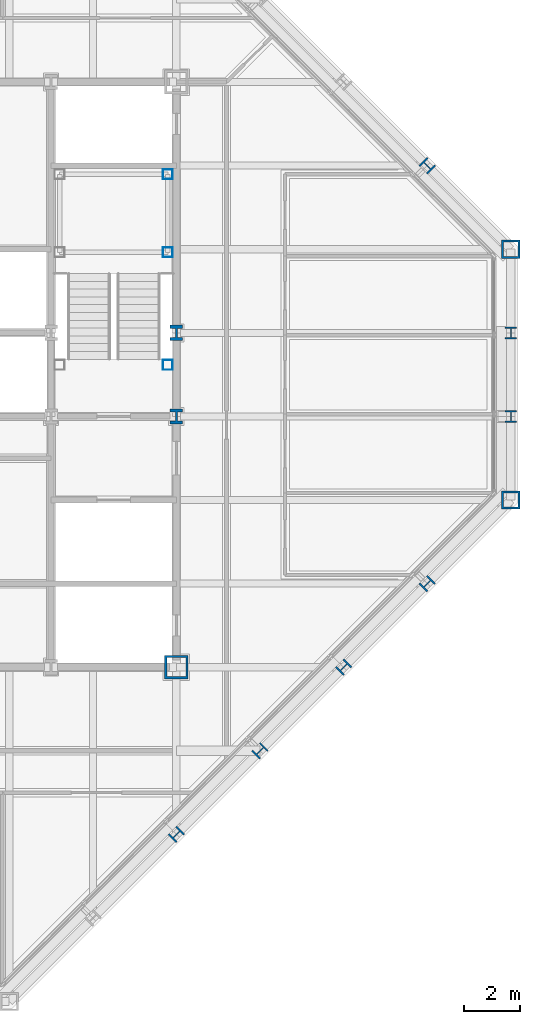
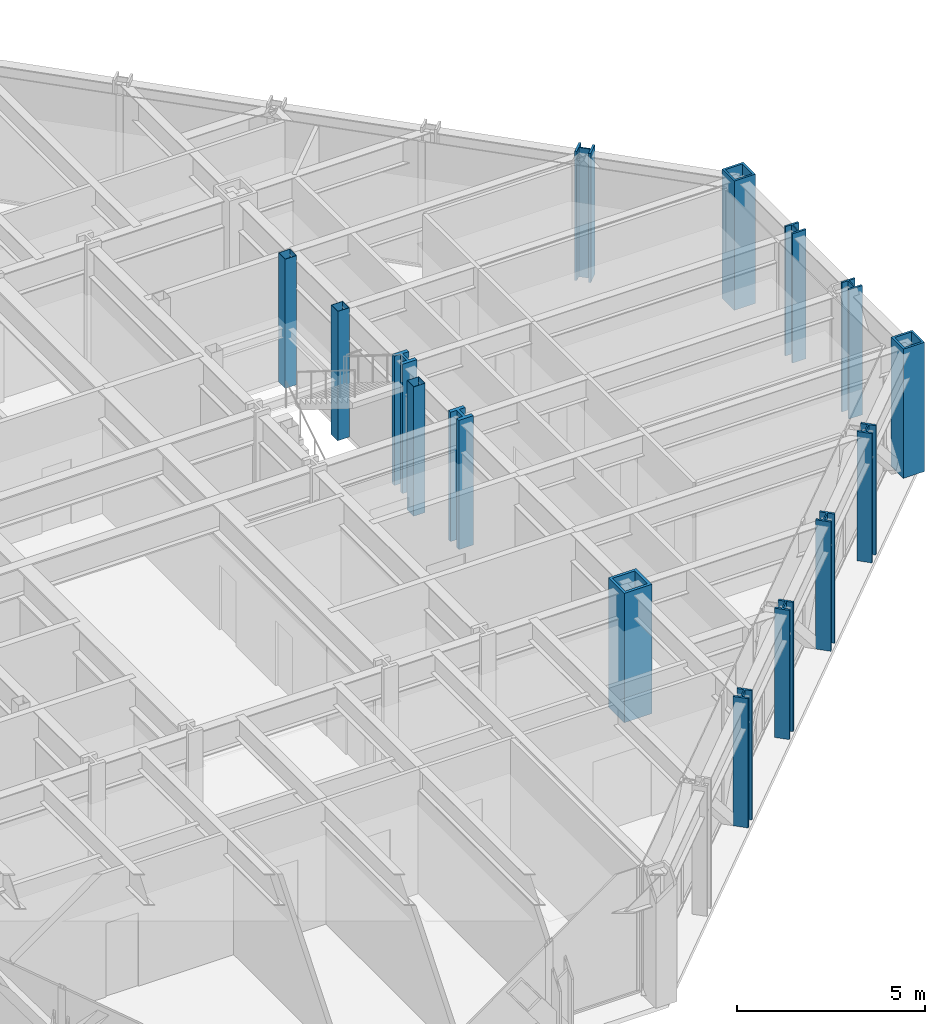
# One storey, part 3 of 15: 15 columns.
"""IFC4 building model written with IfcOpenShell, lengths in metres."""

import ifcopenshell
import ifcopenshell.guid

model = None  # the IFC model being written
_history = None  # IfcOwnerHistory: only IFC2X3 demands one
_inside = {}  # id of a spatial element -> (the spatial element, [elements in it])
_under = {}  # id of a project, library or spatial element -> (it, [spatial elements below it])
_declared = {}  # id of a project -> (the project, [libraries it declares])
_typed = {}  # id of a type object -> (the type object, [elements of that type])
_made_of = {}  # id of a material, layer set ... -> (it, [elements and type objects made of it])


def new_model(schema):
    """Start an empty IFC model of exactly this schema.

    Asked for "IFC4X3", IfcOpenShell would pick the latest addendum, in which some entities
    have other attributes; the version numbers below select the first issue.
    IFC2X3 requires an IfcOwnerHistory on every rooted entity: one is made here for all.
    """
    global model, _history
    if schema == "IFC4X3":
        model = ifcopenshell.file(schema_version=(4, 3, 0, 0))
    else:
        model = ifcopenshell.file(schema=schema)
    _inside.clear()
    _under.clear()
    _declared.clear()
    _typed.clear()
    _made_of.clear()
    _history = None
    if model.schema == "IFC2X3":
        org = make("IfcOrganization", Name="unknown")
        user = make(
            "IfcPersonAndOrganization",
            ThePerson=make("IfcPerson", FamilyName="unknown"),
            TheOrganization=org,
        )
        app = make(
            "IfcApplication",
            ApplicationDeveloper=org,
            Version="unknown",
            ApplicationFullName="unknown",
            ApplicationIdentifier="unknown",
        )
        _history = make(
            "IfcOwnerHistory",
            OwningUser=user,
            OwningApplication=app,
            ChangeAction="ADDED",
            CreationDate=0,
        )
    return model


def make(cls, **values):
    """One entity of the class cls with the attributes given. An attribute that is None is left unset."""
    return model.create_entity(
        cls, **{name: value for name, value in values.items() if value is not None}
    )


def rooted(cls, **values):
    """An entity with a GlobalId (a new one), such as an element, a storey or a relation."""
    return make(cls, GlobalId=ifcopenshell.guid.new(), OwnerHistory=_history, **values)


def si_unit(unit_type, name, prefix=None):
    """IfcSIUnit, for example si_unit("LENGTHUNIT", "METRE", prefix="MILLI")."""
    return make("IfcSIUnit", UnitType=unit_type, Prefix=prefix, Name=name)


def assignment(units):
    """IfcUnitAssignment: the units of a project."""
    return None if units is None else make("IfcUnitAssignment", Units=units)


def point(xyz):
    """IfcCartesianPoint."""
    return None if xyz is None else make("IfcCartesianPoint", Coordinates=xyz)


def direction(xyz):
    """IfcDirection."""
    return None if xyz is None else make("IfcDirection", DirectionRatios=xyz)


def frame(location, z_axis=None, x_axis=None):
    """IfcAxis2Placement3D, a coordinate frame: its origin and axes. An axis left out is left unset."""
    return make(
        "IfcAxis2Placement3D",
        Location=point(location),
        Axis=direction(z_axis),
        RefDirection=direction(x_axis),
    )


def frame_2d(location, x_axis=None):
    """IfcAxis2Placement2D, a coordinate frame in the plane: its origin and x axis."""
    return make(
        "IfcAxis2Placement2D", Location=point(location), RefDirection=direction(x_axis)
    )


def origin():
    """The frame at (0, 0, 0) with its axes left unset."""
    return frame((0.0, 0.0, 0.0))


def origin_2d():
    """The frame at (0, 0) in the plane with its x axis left unset."""
    return frame_2d((0.0, 0.0))


def place(relative_to, where):
    """IfcLocalPlacement: puts the frame where relative to a parent placement (None: the world)."""
    return make(
        "IfcLocalPlacement", PlacementRelTo=relative_to, RelativePlacement=where
    )


def context(
    kind, dimensions, precision=None, world=None, true_north=None, identifier=None
):
    """IfcGeometricRepresentationContext, for example the 3D "Model" context."""
    return make(
        "IfcGeometricRepresentationContext",
        ContextIdentifier=identifier,
        ContextType=kind,
        CoordinateSpaceDimension=dimensions,
        Precision=precision,
        WorldCoordinateSystem=world,
        TrueNorth=true_north,
    )


def subcontext(parent, identifier, kind, view, scale=None):
    """IfcGeometricRepresentationSubContext, for example "Body" below "Model"."""
    return make(
        "IfcGeometricRepresentationSubContext",
        ContextIdentifier=identifier,
        ContextType=kind,
        ParentContext=parent,
        TargetScale=scale,
        TargetView=view,
    )


def project(units=None, contexts=None):
    """IfcProject with its units and contexts."""
    return rooted(
        "IfcProject",
        Name="project",
        RepresentationContexts=contexts,
        UnitsInContext=assignment(units),
    )


def spatial(cls, under=None, at=None, **own):
    """A site, building, storey or space (cls), placed at a placement, below another one or the project."""
    s = rooted(cls, ObjectPlacement=at, **own)
    if under is not None:
        _under.setdefault(under.id(), (under, []))[1].append(s)
    return s


def profile(cls, at=None, kind="AREA", **sizes):
    """A parametric profile (cls). Its sizes go by their IFC names, for example OverallWidth=200.0."""
    return make(cls, ProfileType=kind, Position=at, **sizes)


def hollow_rectangle(**sizes):
    """IfcRectangleHollowProfileDef."""
    return profile("IfcRectangleHollowProfileDef", **sizes)


def i_section(**sizes):
    """IfcIShapeProfileDef."""
    return profile("IfcIShapeProfileDef", **sizes)


def extrude(swept, where, along, depth):
    """IfcExtrudedAreaSolid: the profile swept, set in the frame where, extruded along a direction by depth."""
    return make(
        "IfcExtrudedAreaSolid",
        SweptArea=swept,
        Position=where,
        ExtrudedDirection=direction(along),
        Depth=depth,
    )


def shape(context_of_items, identifier, shape_type, items):
    """IfcShapeRepresentation: the items that make up one representation, for example the "Body"."""
    return make(
        "IfcShapeRepresentation",
        ContextOfItems=context_of_items,
        RepresentationIdentifier=identifier,
        RepresentationType=shape_type,
        Items=items,
    )


def material(Name=None, Category=None):
    """IfcMaterial."""
    return make("IfcMaterial", Name=Name, Category=Category)


def material_profile(
    of_material, cross_section, Name=None, Category=None, Priority=None
):
    """IfcMaterialProfile: a cross section and its material."""
    return make(
        "IfcMaterialProfile",
        Name=Name,
        Material=of_material,
        Profile=cross_section,
        Priority=Priority,
        Category=Category,
    )


def profile_set(profiles, Name=None, composite=None):
    """IfcMaterialProfileSet."""
    return make(
        "IfcMaterialProfileSet",
        Name=Name,
        MaterialProfiles=profiles,
        CompositeProfile=composite,
    )


def made_of(thing, what):
    """Note that an element or type object is made of a material, layer set ...; save() writes the relation."""
    if what is not None:
        _made_of.setdefault(what.id(), (what, []))[1].append(thing)
    return thing


def type_object(cls, material=None, **own):
    """A type object (cls), such as IfcWallType, which elements share."""
    return made_of(rooted(cls, **own), material)


def element(
    cls,
    number,
    at=None,
    inside=None,
    cuts=None,
    type_object=None,
    material=None,
    context=None,
    identifier="Body",
    shape_type=None,
    held_by="IfcProductDefinitionShape",
    body=None,
    shapes=None,
    **own,
):
    """One element of the class cls, such as IfcWall. Its Tag is "e" and its number.

    at: its placement. inside: the storey or other place that contains it. cuts: it is an
    opening in that element (IfcRelVoidsElement). A single representation is given by context,
    identifier, shape_type and body (its items); several are given by shapes. held_by: the class
    of the entity that holds the representations. save() writes the other relations.
    """
    e = rooted(cls, Tag="e%d" % number, ObjectPlacement=at, **own)
    if body is not None:
        shapes = [shape(context, identifier, shape_type, body)]
    if shapes is not None:
        e.Representation = make(held_by, Representations=shapes)
    if inside is not None:
        _inside.setdefault(inside.id(), (inside, []))[1].append(e)
    if cuts is not None:
        rooted(
            "IfcRelVoidsElement", RelatingBuildingElement=cuts, RelatedOpeningElement=e
        )
    if type_object is not None:
        _typed.setdefault(type_object.id(), (type_object, []))[1].append(e)
    return made_of(e, material)


def aggregate(whole, parts):
    """IfcRelAggregates: a whole, such as a stair, and the parts it consists of."""
    return rooted("IfcRelAggregates", RelatingObject=whole, RelatedObjects=parts)


def save(model, path):
    """Write the relations noted so far, then the file.

    IfcRelAggregates (storeys below a building ...), IfcRelContainedInSpatialStructure (elements
    in a storey), IfcRelDefinesByType, IfcRelAssociatesMaterial and IfcRelDeclares: one each for
    every whole, place, type object, material and project.
    """
    for whole, parts in _under.values():
        aggregate(whole, parts)
    for where, things in _inside.values():
        rooted(
            "IfcRelContainedInSpatialStructure",
            RelatedElements=things,
            RelatingStructure=where,
        )
    for kind, things in _typed.values():
        rooted("IfcRelDefinesByType", RelatedObjects=things, RelatingType=kind)
    for what, things in _made_of.values():
        rooted("IfcRelAssociatesMaterial", RelatedObjects=things, RelatingMaterial=what)
    for by, libraries in _declared.values():
        rooted("IfcRelDeclares", RelatingContext=by, RelatedDefinitions=libraries)
    model.write(path)


model = new_model("IFC4")

# Units and contexts
model_context = context("Model", 3, precision=1e-05, world=origin(), true_north=direction((0.0, 1.0)))
body_context = subcontext(model_context, "Body", "Model", "MODEL_VIEW")
ifc_project = project(units=[si_unit("LENGTHUNIT", "METRE"), si_unit("AREAUNIT", "SQUARE_METRE"), si_unit("VOLUMEUNIT", "CUBIC_METRE"), si_unit("PLANEANGLEUNIT", "RADIAN"), si_unit("MASSUNIT", "GRAM", prefix="KILO")], contexts=[model_context])

# Site, building, storey
site_placement = place(None, origin())
site = spatial("IfcSite", under=ifc_project, at=site_placement, CompositionType="ELEMENT")
building_placement = place(site_placement, origin())
building = spatial("IfcBuilding", under=site, at=building_placement, Name="Chuquiago Exchange Tower", CompositionType="ELEMENT")
storey_placement = place(building_placement, frame((0.0, 0.0, 262.199951171875)))
storey = spatial("IfcBuildingStorey", under=building, at=storey_placement, Name="L58", CompositionType="ELEMENT", Elevation=262.199951171875)

# Columns
ifc_material_1 = material(Name="Steel ASTM A992", Category="steel")
ifc_material_profile_1 = material_profile(ifc_material_1, i_section(OverallWidth=0.411376953125, OverallDepth=0.434326171875, WebThickness=0.035888671875, FlangeThickness=0.057373046875, at=origin_2d()), Name="W14X311")
ifc_profile_set_1 = profile_set([ifc_material_profile_1], Name="Steel ASTM A992")
column_type_1 = type_object("IfcColumnType", Name="C5 W14X311", PredefinedType="COLUMN", material=ifc_profile_set_1)
for number, where, z_axis, x_axis, name in (
    (1, (45.0, 21.0, 0.0), (0.0, 0.0, 1.0), (1.0, 0.0, 0.0), "COL-L58-45_21"),
    (2, (45.0, 24.0, 0.0), (0.0, 0.0, 1.0), (1.0, 0.0, 0.0), "COL-L58-45_24"),
):
    element("IfcColumn", number, at=place(storey_placement, frame(where, z_axis=z_axis, x_axis=x_axis)), inside=storey, type_object=column_type_1, Name=name, PredefinedType="COLUMN", context=body_context, shape_type="SweptSolid", body=[
        extrude(i_section(OverallWidth=0.411376953125, OverallDepth=0.434326171875, WebThickness=0.035888671875, FlangeThickness=0.057373046875, at=origin_2d()), origin(), (0.0, 0.0, 1.0), 4.199951171875),
    ])
ifc_material_2 = material(Name="Steel ASTM A992", Category="steel")
ifc_material_profile_2 = material_profile(ifc_material_2, i_section(OverallWidth=0.449462890625, OverallDepth=0.548583984375, WebThickness=0.07177734375, FlangeThickness=0.11474609375, at=origin_2d()), Name="W14X665")
ifc_profile_set_2 = profile_set([ifc_material_profile_2], Name="Steel ASTM A992")
column_type_2 = type_object("IfcColumnType", Name="CC5 W14X665", PredefinedType="COLUMN", material=ifc_profile_set_2)
for number, where, z_axis, x_axis, name in (
    (3, (33.0, 21.0, 0.0), (0.0, 0.0, 1.0), (1.0, 0.0, 0.0), "CCOL-L58-33_21"),
    (4, (33.0, 24.0, 0.0), (0.0, 0.0, 1.0), (1.0, 0.0, 0.0), "CCOL-L58-33_24"),
):
    element("IfcColumn", number, at=place(storey_placement, frame(where, z_axis=z_axis, x_axis=x_axis)), inside=storey, type_object=column_type_2, Name=name, PredefinedType="COLUMN", context=body_context, shape_type="SweptSolid", body=[
        extrude(i_section(OverallWidth=0.449462890625, OverallDepth=0.548583984375, WebThickness=0.07177734375, FlangeThickness=0.11474609375, at=origin_2d()), origin(), (0.0, 0.0, 1.0), 4.199951171875),
    ])
ifc_material_3 = material(Name="Steel ASTM A572 Grade 50", Category="steel")
ifc_material_profile_3 = material_profile(ifc_material_3, hollow_rectangle(XDim=0.85009765625, YDim=0.85009765625, WallThickness=0.0849609375, at=origin_2d()), Name="BOX850X850X85")
ifc_profile_set_3 = profile_set([ifc_material_profile_3], Name="Steel ASTM A572 Grade 50")
column_type_3 = type_object("IfcColumnType", Name="CC6 BOX850X850X85", PredefinedType="COLUMN", material=ifc_profile_set_3)
column_placement = place(storey_placement, frame((33.0, 12.0, 0.0), z_axis=(0.0, 0.0, 1.0), x_axis=(1.0, 0.0, 0.0)))
element("IfcColumn", 5, at=column_placement, inside=storey, type_object=column_type_3, Name="CCOL-L58-33_12", PredefinedType="COLUMN", context=body_context, shape_type="SweptSolid", body=[
    extrude(hollow_rectangle(XDim=0.85009765625, YDim=0.85009765625, WallThickness=0.0849609375, at=origin_2d()), origin(), (0.0, 0.0, 1.0), 4.199951171875),
])
ifc_material_4 = material(Name="Steel ASTM A992", Category="steel")
ifc_material_profile_4 = material_profile(ifc_material_4, i_section(OverallWidth=0.41650390625, OverallDepth=0.444580078125, WebThickness=0.0390625, FlangeThickness=0.062744140625, at=origin_2d()), Name="W14X342")
ifc_profile_set_4 = profile_set([ifc_material_profile_4], Name="Steel ASTM A992")
column_type_4 = type_object("IfcColumnType", Name="CK5 W14X342", PredefinedType="COLUMN", material=ifc_profile_set_4)
for number, where, z_axis, x_axis, name in (
    (6, (33.0, 6.0, 0.0), (0.0, 0.0, 1.0), (0.707106781187, -0.707106781187, 0.0), "COL-L58-33_6"),
    (7, (36.0, 9.0, 0.0), (0.0, 0.0, 1.0), (0.707106781187, -0.707106781187, 0.0), "COL-L58-36_9"),
    (8, (39.0, 12.0, 0.0), (0.0, 0.0, 1.0), (0.707106781187, -0.707106781187, 0.0), "COL-L58-39_12"),
    (9, (42.0, 15.0, 0.0), (0.0, 0.0, 1.0), (0.707106781187, -0.707106781187, 0.0), "COL-L58-42_15"),
    (10, (42.0, 30.0, 0.0), (0.0, 0.0, 1.0), (0.707106781187, 0.707106781187, 0.0), "COL-L58-42_30"),
):
    element("IfcColumn", number, at=place(storey_placement, frame(where, z_axis=z_axis, x_axis=x_axis)), inside=storey, type_object=column_type_4, Name=name, PredefinedType="COLUMN", context=body_context, shape_type="SweptSolid", body=[
        extrude(i_section(OverallWidth=0.41650390625, OverallDepth=0.444580078125, WebThickness=0.0390625, FlangeThickness=0.062744140625, at=origin_2d()), origin(), (0.0, 0.0, 1.0), 4.199951171875),
    ])
ifc_material_5 = material(Name="Steel ASTM A572 Grade 50", Category="steel")
ifc_material_profile_5 = material_profile(ifc_material_5, hollow_rectangle(XDim=0.64990234375, YDim=0.64990234375, WallThickness=0.06494140625, at=origin_2d()), Name="BOX650X650X65")
ifc_profile_set_5 = profile_set([ifc_material_profile_5], Name="Steel ASTM A572 Grade 50")
column_type_5 = type_object("IfcColumnType", Name="CN2 BOX650X650X65", PredefinedType="COLUMN", material=ifc_profile_set_5)
for number, where, z_axis, x_axis, name in (
    (11, (45.0, 18.0, 0.0), (0.0, 0.0, 1.0), (1.0, 0.0, 0.0), "COL-L58-45_18"),
    (12, (45.0, 27.0, 0.0), (0.0, 0.0, 1.0), (1.0, 0.0, 0.0), "COL-L58-45_27"),
):
    element("IfcColumn", number, at=place(storey_placement, frame(where, z_axis=z_axis, x_axis=x_axis)), inside=storey, type_object=column_type_5, Name=name, PredefinedType="COLUMN", context=body_context, shape_type="SweptSolid", body=[
        extrude(hollow_rectangle(XDim=0.64990234375, YDim=0.64990234375, WallThickness=0.06494140625, at=origin_2d()), origin(), (0.0, 0.0, 1.0), 4.199951171875),
    ])
ifc_material_6 = material(Name="Steel ASTM A500 Grade C", Category="steel")
ifc_material_profile_6 = material_profile(ifc_material_6, hollow_rectangle(XDim=0.355712890625, YDim=0.355712890625, WallThickness=0.0087890625, at=origin_2d()), Name="HSS14X14X3/8")
ifc_profile_set_6 = profile_set([ifc_material_profile_6], Name="Steel ASTM A500 Grade C")
column_type_6 = type_object("IfcColumnType", Name="PT1 HSS14X14X3/8", PredefinedType="COLUMN", material=ifc_profile_set_6)
for number, where, z_axis, x_axis, name in (
    (13, (32.68994140625, 29.68994140625, 0.0), (0.0, 0.0, 1.0), (1.0, 0.0, 0.0), "Stair ST2 L58 landing post"),
    (14, (32.68994140625, 26.889892578125, 0.0), (0.0, 0.0, 1.0), (1.0, 0.0, 0.0), "Stair ST2 L58 landing post"),
    (15, (32.68994140625, 22.85009765625, 0.0), (0.0, 0.0, 1.0), (1.0, 0.0, 0.0), "Stair ST2 L58 landing post"),
):
    element("IfcColumn", number, at=place(storey_placement, frame(where, z_axis=z_axis, x_axis=x_axis)), inside=storey, type_object=column_type_6, Name=name, PredefinedType="COLUMN", context=body_context, shape_type="SweptSolid", body=[
        extrude(hollow_rectangle(XDim=0.355712890625, YDim=0.355712890625, WallThickness=0.0087890625, at=origin_2d()), origin(), (0.0, 0.0, 1.0), 4.199951171875),
    ])

save(model, "model.ifc")
